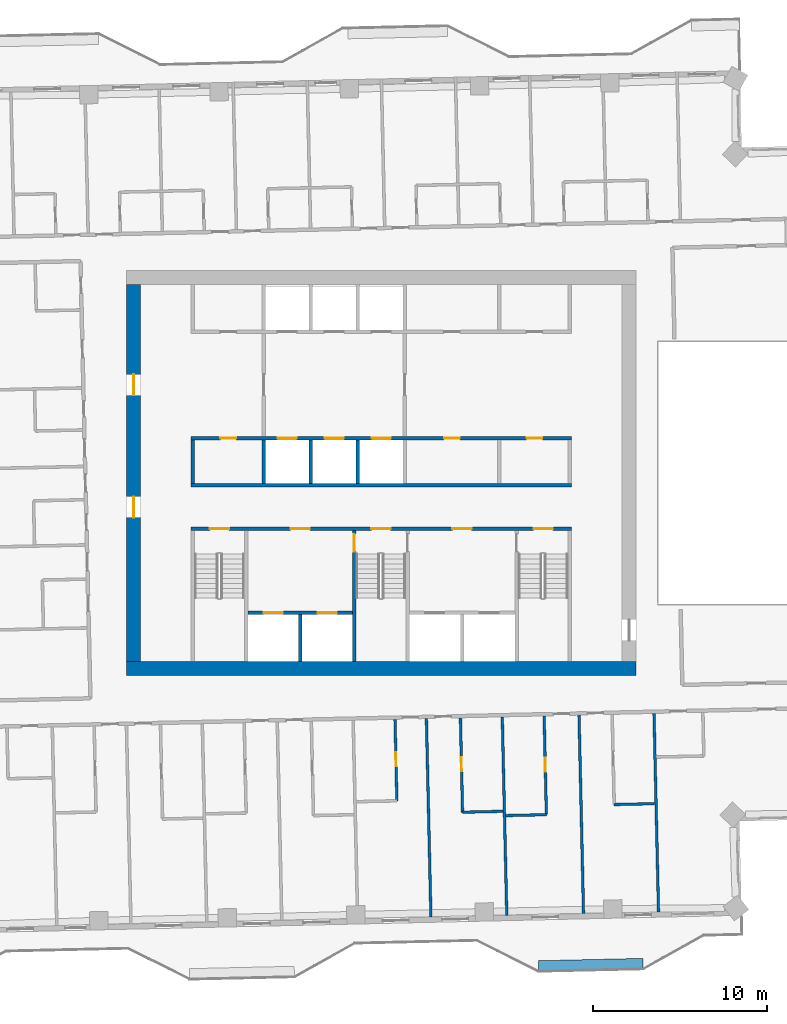
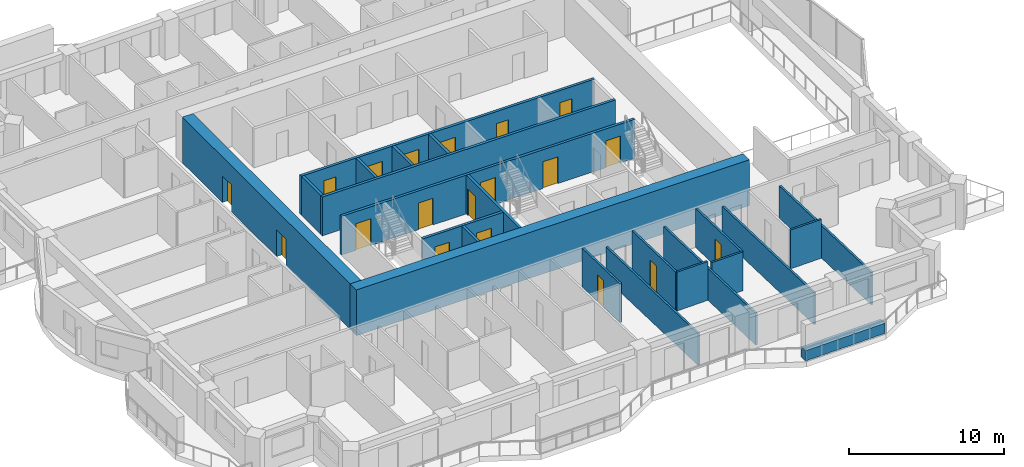
# One storey, part 8 of 17: 23 walls, 19 doors, 19 openings.
"""IFC4 building model written with IfcOpenShell, lengths in metres."""

from ifc_helpers import new_model, si_unit, direction, frame, frame_2d, origin, place, context, subcontext, project, spatial, rectangle, extrude, material, layer, layer_set, type_object, element, fill, save


model = new_model("IFC4")

# Units and contexts
model_context = context("Model", 3, precision=1e-05, world=origin(), true_north=direction((0.0, 1.0)))
body_context = subcontext(model_context, "Body", "Model", "MODEL_VIEW")
ifc_project = project(units=[si_unit("LENGTHUNIT", "METRE"), si_unit("AREAUNIT", "SQUARE_METRE"), si_unit("VOLUMEUNIT", "CUBIC_METRE"), si_unit("PLANEANGLEUNIT", "RADIAN"), si_unit("MASSUNIT", "GRAM", prefix="KILO")], contexts=[model_context])

# Site, building, storey
site_placement = place(None, origin())
site = spatial("IfcSite", under=ifc_project, at=site_placement, CompositionType="ELEMENT")
building_placement = place(site_placement, origin())
building = spatial("IfcBuilding", under=site, at=building_placement, Name="Mangrove Gate Tower", CompositionType="ELEMENT")
storey_placement = place(building_placement, frame((0.0, 0.0, 249.10009765625)))
storey = spatial("IfcBuildingStorey", under=building, at=storey_placement, Name="L63", CompositionType="ELEMENT", Elevation=249.10009765625)

# Walls
ifc_material_1 = material(Name="Concrete C32/40", Category="concrete")
ifc_layer_1 = layer(ifc_material_1, 0.199951171875)
ifc_layer_set_1 = layer_set([ifc_layer_1], Name="Core room wall 200 C32/40")
wall_type_1 = type_object("IfcWallType", Name="Core room wall 200 C32/40", PredefinedType="STANDARD", material=ifc_layer_set_1)
wall_1_placement = place(storey_placement, frame((-10.800048828125, -0.60009765625, 0.0), z_axis=(0.0, 0.0, 1.0), x_axis=(0.0, 1.0, 0.0)))
element("IfcWall", 1, at=wall_1_placement, inside=storey, type_object=wall_type_1, Name="WALL-L63-CORE-19", PredefinedType="STANDARD", context=body_context, shape_type="SweptSolid", body=[
    extrude(rectangle(XDim=2.5, YDim=0.199951171875, at=frame_2d((1.25, 0.0))), origin(), (0.0, 0.0, 1.0), 3.0498046875),
])
ifc_material_2 = material(Name="Concrete C60/75", Category="concrete")
ifc_layer_2 = layer(ifc_material_2, 0.199951171875)
ifc_layer_set_2 = layer_set([ifc_layer_2], Name="Core shaft wall 200 C60/75")
wall_type_2 = type_object("IfcWallType", Name="Core shaft wall 200 C60/75", PredefinedType="SHEAR", material=ifc_layer_set_2)
wall_2_placement = place(storey_placement, frame((-10.89990234375, -0.699951171875, 0.0), z_axis=(0.0, 0.0, 1.0), x_axis=(1.0, 0.0, 0.0)))
element("IfcWall", 2, at=wall_2_placement, inside=storey, type_object=wall_type_2, Name="WALL-L63-CORE-6", PredefinedType="SHEAR", context=body_context, shape_type="SweptSolid", body=[
    extrude(rectangle(XDim=21.7998046875, YDim=0.199951171875, at=frame_2d((10.89990234375, 0.0))), origin(), (0.0, 0.0, 1.0), 3.0498046875),
])

# Wall, openings, doors
wall_3_placement = place(storey_placement, frame((-10.89990234375, 2.0, 0.0), z_axis=(0.0, 0.0, 1.0), x_axis=(1.0, 0.0, 0.0)))
wall_3 = element("IfcWall", 3, at=wall_3_placement, inside=storey, type_object=wall_type_2, Name="WALL-L63-CORE-7", PredefinedType="SHEAR", context=body_context, shape_type="SweptSolid", body=[
    extrude(rectangle(XDim=21.7998046875, YDim=0.199951171875, at=frame_2d((10.89990234375, 0.0))), origin(), (0.0, 0.0, 1.0), 3.0498046875),
])
opening_1_placement = place(wall_3_placement, frame((4.949951171875, 0.0, 0.0)))
opening_1 = element("IfcOpeningElement", 4, at=opening_1_placement, cuts=wall_3, Name="Opening LD", PredefinedType="OPENING", context=body_context, shape_type="SweptSolid", body=[
    extrude(rectangle(XDim=1.10009765625, YDim=2.10009765625, at=frame_2d((0.550048828125, 1.050048828125))), frame((0.0, 0.10986328125, 0.0), z_axis=(0.0, -1.0, 0.0), x_axis=(1.0, 0.0, 0.0)), (0.0, 0.0, 1.0), 0.219970703125),
])
opening_2_placement = place(wall_3_placement, frame((7.64990234375, 0.0, 0.0)))
opening_2 = element("IfcOpeningElement", 5, at=opening_2_placement, cuts=wall_3, Name="Opening LD", PredefinedType="OPENING", context=body_context, shape_type="SweptSolid", body=[
    extrude(rectangle(XDim=1.10009765625, YDim=2.10009765625, at=frame_2d((0.550048828125, 1.050048828125))), frame((0.0, 0.10986328125, 0.0), z_axis=(0.0, -1.0, 0.0), x_axis=(1.0, 0.0, 0.0)), (0.0, 0.0, 1.0), 0.219970703125),
])
opening_3_placement = place(wall_3_placement, frame((10.35009765625, 0.0, 0.0)))
opening_3 = element("IfcOpeningElement", 6, at=opening_3_placement, cuts=wall_3, Name="Opening LD", PredefinedType="OPENING", context=body_context, shape_type="SweptSolid", body=[
    extrude(rectangle(XDim=1.10009765625, YDim=2.10009765625, at=frame_2d((0.550048828125, 1.050048828125))), frame((0.0, 0.10986328125, 0.0), z_axis=(0.0, -1.0, 0.0), x_axis=(1.0, 0.0, 0.0)), (0.0, 0.0, 1.0), 0.219970703125),
])
opening_4_placement = place(wall_3_placement, frame((1.675048828125, 0.0, 0.0)))
opening_4 = element("IfcOpeningElement", 7, at=opening_4_placement, cuts=wall_3, Name="Opening KD", PredefinedType="OPENING", context=body_context, shape_type="SweptSolid", body=[
    extrude(rectangle(XDim=0.89990234375, YDim=2.10009765625, at=frame_2d((0.449951171875, 1.050048828125))), frame((0.0, 0.10986328125, 0.0), z_axis=(0.0, -1.0, 0.0), x_axis=(1.0, 0.0, 0.0)), (0.0, 0.0, 1.0), 0.219970703125),
])
opening_5_placement = place(wall_3_placement, frame((14.5, 0.0, 0.0)))
opening_5 = element("IfcOpeningElement", 8, at=opening_5_placement, cuts=wall_3, Name="Opening KD", PredefinedType="OPENING", context=body_context, shape_type="SweptSolid", body=[
    extrude(rectangle(XDim=0.89990234375, YDim=2.10009765625, at=frame_2d((0.449951171875, 1.050048828125))), frame((0.0, 0.10986328125, 0.0), z_axis=(0.0, -1.0, 0.0), x_axis=(1.0, 0.0, 0.0)), (0.0, 0.0, 1.0), 0.219970703125),
])
opening_6_placement = place(wall_3_placement, frame((19.22509765625, 0.0, 0.0)))
opening_6 = element("IfcOpeningElement", 9, at=opening_6_placement, cuts=wall_3, Name="Opening RD", PredefinedType="OPENING", context=body_context, shape_type="SweptSolid", body=[
    extrude(rectangle(XDim=0.89990234375, YDim=2.10009765625, at=frame_2d((0.449951171875, 1.050048828125))), frame((0.0, 0.10986328125, 0.0), z_axis=(0.0, -1.0, 0.0), x_axis=(1.0, 0.0, 0.0)), (0.0, 0.0, 1.0), 0.219970703125),
])
ifc_material_3 = material(Name="Fire-rated steel door set", Category="steel")
door_type_1 = type_object("IfcDoorType", Name="Core room door FD30S 900x2100", OperationType="SINGLE_SWING_RIGHT", PredefinedType="DOOR", material=ifc_material_3)
door_1_placement = place(opening_4_placement, origin())
door_1 = element("IfcDoor", 10, at=door_1_placement, inside=storey, type_object=door_type_1, Name="Core room door Cleaner's store", OperationType="SINGLE_SWING_RIGHT", OverallHeight=2.10009765625, OverallWidth=0.89990234375, PredefinedType="DOOR", context=body_context, shape_type="SweptSolid", body=[
    extrude(rectangle(XDim=0.89990234375, YDim=2.10009765625, at=frame_2d((0.449951171875, 1.050048828125))), frame((0.0, 0.02490234375, 0.0), z_axis=(0.0, -1.0, 0.0), x_axis=(1.0, 0.0, 0.0)), (0.0, 0.0, 1.0), 0.050048828125),
])
fill(opening_4, door_1)
door_2_placement = place(opening_5_placement, origin())
door_2 = element("IfcDoor", 11, at=door_2_placement, inside=storey, type_object=door_type_1, Name="Core room door Refuse store", OperationType="SINGLE_SWING_RIGHT", OverallHeight=2.10009765625, OverallWidth=0.89990234375, PredefinedType="DOOR", context=body_context, shape_type="SweptSolid", body=[
    extrude(rectangle(XDim=0.89990234375, YDim=2.10009765625, at=frame_2d((0.449951171875, 1.050048828125))), frame((0.0, 0.02490234375, 0.0), z_axis=(0.0, -1.0, 0.0), x_axis=(1.0, 0.0, 0.0)), (0.0, 0.0, 1.0), 0.050048828125),
])
fill(opening_5, door_2)
ifc_material_4 = material(Name="Stainless steel 316", Category="steel")
door_type_2 = type_object("IfcDoorType", Name="Lift landing door 1100x2100", OperationType="SLIDING_TO_LEFT", PredefinedType="DOOR", material=ifc_material_4)
door_3_placement = place(opening_1_placement, origin())
door_3 = element("IfcDoor", 12, at=door_3_placement, inside=storey, type_object=door_type_2, Name="Landing door LD H01", OperationType="SLIDING_TO_LEFT", OverallHeight=2.10009765625, OverallWidth=1.10009765625, PredefinedType="DOOR", context=body_context, shape_type="SweptSolid", body=[
    extrude(rectangle(XDim=1.10009765625, YDim=2.10009765625, at=frame_2d((0.550048828125, 1.050048828125))), frame((0.0, 0.02490234375, 0.0), z_axis=(0.0, -1.0, 0.0), x_axis=(1.0, 0.0, 0.0)), (0.0, 0.0, 1.0), 0.050048828125),
])
fill(opening_1, door_3)
door_4_placement = place(opening_2_placement, origin())
door_4 = element("IfcDoor", 13, at=door_4_placement, inside=storey, type_object=door_type_2, Name="Landing door LD H02", OperationType="SLIDING_TO_LEFT", OverallHeight=2.10009765625, OverallWidth=1.10009765625, PredefinedType="DOOR", context=body_context, shape_type="SweptSolid", body=[
    extrude(rectangle(XDim=1.10009765625, YDim=2.10009765625, at=frame_2d((0.550048828125, 1.050048828125))), frame((0.0, 0.02490234375, 0.0), z_axis=(0.0, -1.0, 0.0), x_axis=(1.0, 0.0, 0.0)), (0.0, 0.0, 1.0), 0.050048828125),
])
fill(opening_2, door_4)
door_5_placement = place(opening_3_placement, origin())
door_5 = element("IfcDoor", 14, at=door_5_placement, inside=storey, type_object=door_type_2, Name="Landing door LD H03", OperationType="SLIDING_TO_LEFT", OverallHeight=2.10009765625, OverallWidth=1.10009765625, PredefinedType="DOOR", context=body_context, shape_type="SweptSolid", body=[
    extrude(rectangle(XDim=1.10009765625, YDim=2.10009765625, at=frame_2d((0.550048828125, 1.050048828125))), frame((0.0, 0.02490234375, 0.0), z_axis=(0.0, -1.0, 0.0), x_axis=(1.0, 0.0, 0.0)), (0.0, 0.0, 1.0), 0.050048828125),
])
fill(opening_3, door_5)
ifc_material_5 = material(Name="Fire-rated steel door set", Category="steel")
door_type_3 = type_object("IfcDoorType", Name="Riser door FD30S 900x2100", OperationType="SINGLE_SWING_LEFT", PredefinedType="DOOR", material=ifc_material_5)
door_6_placement = place(opening_6_placement, origin())
door_6 = element("IfcDoor", 15, at=door_6_placement, inside=storey, type_object=door_type_3, Name="Riser door Electrical room", OperationType="SINGLE_SWING_LEFT", OverallHeight=2.10009765625, OverallWidth=0.89990234375, PredefinedType="DOOR", context=body_context, shape_type="SweptSolid", body=[
    extrude(rectangle(XDim=0.89990234375, YDim=2.10009765625, at=frame_2d((0.449951171875, 1.050048828125))), frame((0.0, 0.02490234375, 0.0), z_axis=(0.0, -1.0, 0.0), x_axis=(1.0, 0.0, 0.0)), (0.0, 0.0, 1.0), 0.050048828125),
])
fill(opening_6, door_6)

wall_4_placement = place(storey_placement, frame((-7.64990234375, -8.0, 0.0), z_axis=(0.0, 0.0, 1.0), x_axis=(1.0, 0.0, 0.0)))
wall_4 = element("IfcWall", 16, at=wall_4_placement, inside=storey, type_object=wall_type_2, Name="WALL-L63-CORE-15", PredefinedType="SHEAR", context=body_context, shape_type="SweptSolid", body=[
    extrude(rectangle(XDim=6.0, YDim=0.199951171875, at=frame_2d((3.0, 0.0))), origin(), (0.0, 0.0, 1.0), 3.0498046875),
])
opening_7_placement = place(wall_4_placement, frame((0.89990234375, 0.0, 0.0)))
opening_7 = element("IfcOpeningElement", 17, at=opening_7_placement, cuts=wall_4, Name="Opening LD", PredefinedType="OPENING", context=body_context, shape_type="SweptSolid", body=[
    extrude(rectangle(XDim=1.10009765625, YDim=2.10009765625, at=frame_2d((0.550048828125, 1.050048828125))), frame((0.0, 0.10986328125, 0.0), z_axis=(0.0, -1.0, 0.0), x_axis=(1.0, 0.0, 0.0)), (0.0, 0.0, 1.0), 0.219970703125),
])
opening_8_placement = place(wall_4_placement, frame((4.0, 0.0, 0.0)))
opening_8 = element("IfcOpeningElement", 18, at=opening_8_placement, cuts=wall_4, Name="Opening LD", PredefinedType="OPENING", context=body_context, shape_type="SweptSolid", body=[
    extrude(rectangle(XDim=1.10009765625, YDim=2.10009765625, at=frame_2d((0.550048828125, 1.050048828125))), frame((0.0, 0.10986328125, 0.0), z_axis=(0.0, -1.0, 0.0), x_axis=(1.0, 0.0, 0.0)), (0.0, 0.0, 1.0), 0.219970703125),
])
door_7_placement = place(opening_7_placement, origin())
door_7 = element("IfcDoor", 19, at=door_7_placement, inside=storey, type_object=door_type_2, Name="Landing door LD SVL1", OperationType="SLIDING_TO_LEFT", OverallHeight=2.10009765625, OverallWidth=1.10009765625, PredefinedType="DOOR", context=body_context, shape_type="SweptSolid", body=[
    extrude(rectangle(XDim=1.10009765625, YDim=2.10009765625, at=frame_2d((0.550048828125, 1.050048828125))), frame((0.0, 0.02490234375, 0.0), z_axis=(0.0, -1.0, 0.0), x_axis=(1.0, 0.0, 0.0)), (0.0, 0.0, 1.0), 0.050048828125),
])
fill(opening_7, door_7)
door_8_placement = place(opening_8_placement, origin())
door_8 = element("IfcDoor", 20, at=door_8_placement, inside=storey, type_object=door_type_2, Name="Landing door LD SVL2", OperationType="SLIDING_TO_LEFT", OverallHeight=2.10009765625, OverallWidth=1.10009765625, PredefinedType="DOOR", context=body_context, shape_type="SweptSolid", body=[
    extrude(rectangle(XDim=1.10009765625, YDim=2.10009765625, at=frame_2d((0.550048828125, 1.050048828125))), frame((0.0, 0.02490234375, 0.0), z_axis=(0.0, -1.0, 0.0), x_axis=(1.0, 0.0, 0.0)), (0.0, 0.0, 1.0), 0.050048828125),
])
fill(opening_8, door_8)

# Walls
wall_5_placement = place(storey_placement, frame((-4.64990234375, -10.800048828125, 0.0), z_axis=(0.0, 0.0, 1.0), x_axis=(0.0, 1.0, 0.0)))
element("IfcWall", 21, at=wall_5_placement, inside=storey, type_object=wall_type_2, Name="WALL-L63-CORE-16", PredefinedType="SHEAR", context=body_context, shape_type="SweptSolid", body=[
    extrude(rectangle(XDim=2.699951171875, YDim=0.199951171875, at=frame_2d((1.35009765625, 0.0))), origin(), (0.0, 0.0, 1.0), 3.0498046875),
])
for number, where, z_axis, x_axis, name in (
    (22, (-6.75, -0.60009765625, 0.0), (0.0, 0.0, 1.0), (0.0, 1.0, 0.0), "WALL-L63-CORE-20"),
    (23, (-4.050048828125, -0.60009765625, 0.0), (0.0, 0.0, 1.0), (0.0, 1.0, 0.0), "WALL-L63-CORE-21"),
    (24, (-1.35009765625, -0.60009765625, 0.0), (0.0, 0.0, 1.0), (0.0, 1.0, 0.0), "WALL-L63-CORE-22"),
):
    element("IfcWall", number, at=place(storey_placement, frame(where, z_axis=z_axis, x_axis=x_axis)), inside=storey, type_object=wall_type_2, Name=name, PredefinedType="SHEAR", context=body_context, shape_type="SweptSolid", body=[
        extrude(rectangle(XDim=2.5, YDim=0.199951171875, at=frame_2d((1.25, 0.0))), origin(), (0.0, 0.0, 1.0), 3.0498046875),
    ])

# Wall, openings, doors
ifc_material_6 = material(Name="Concrete C60/75", Category="concrete")
ifc_layer_3 = layer(ifc_material_6, 0.199951171875)
ifc_layer_set_3 = layer_set([ifc_layer_3], Name="Core stair wall 200 C60/75")
wall_type_3 = type_object("IfcWallType", Name="Core stair wall 200 C60/75", PredefinedType="SHEAR", material=ifc_layer_set_3)
wall_6_placement = place(storey_placement, frame((-10.89990234375, -3.199951171875, 0.0), z_axis=(0.0, 0.0, 1.0), x_axis=(1.0, 0.0, 0.0)))
wall_6 = element("IfcWall", 25, at=wall_6_placement, inside=storey, type_object=wall_type_3, Name="WALL-L63-CORE-5", PredefinedType="SHEAR", context=body_context, shape_type="SweptSolid", body=[
    extrude(rectangle(XDim=21.7998046875, YDim=0.199951171875, at=frame_2d((10.89990234375, 0.0))), origin(), (0.0, 0.0, 1.0), 3.0498046875),
])
opening_9_placement = place(wall_6_placement, frame((1.074951171875, 0.0, 0.0)))
opening_9 = element("IfcOpeningElement", 26, at=opening_9_placement, cuts=wall_6, Name="Opening STD11", PredefinedType="OPENING", context=body_context, shape_type="SweptSolid", body=[
    extrude(rectangle(XDim=1.10009765625, YDim=2.10009765625, at=frame_2d((0.550048828125, 1.050048828125))), frame((0.0, 0.10986328125, 0.0), z_axis=(0.0, -1.0, 0.0), x_axis=(1.0, 0.0, 0.0)), (0.0, 0.0, 1.0), 0.219970703125),
])
opening_10_placement = place(wall_6_placement, frame((10.324951171875, 0.0, 0.0)))
opening_10 = element("IfcOpeningElement", 27, at=opening_10_placement, cuts=wall_6, Name="Opening STD11", PredefinedType="OPENING", context=body_context, shape_type="SweptSolid", body=[
    extrude(rectangle(XDim=1.10009765625, YDim=2.10009765625, at=frame_2d((0.550048828125, 1.050048828125))), frame((0.0, 0.10986328125, 0.0), z_axis=(0.0, -1.0, 0.0), x_axis=(1.0, 0.0, 0.0)), (0.0, 0.0, 1.0), 0.219970703125),
])
opening_11_placement = place(wall_6_placement, frame((19.625, 0.0, 0.0)))
opening_11 = element("IfcOpeningElement", 28, at=opening_11_placement, cuts=wall_6, Name="Opening STD11", PredefinedType="OPENING", context=body_context, shape_type="SweptSolid", body=[
    extrude(rectangle(XDim=1.10009765625, YDim=2.10009765625, at=frame_2d((0.550048828125, 1.050048828125))), frame((0.0, 0.10986328125, 0.0), z_axis=(0.0, -1.0, 0.0), x_axis=(1.0, 0.0, 0.0)), (0.0, 0.0, 1.0), 0.219970703125),
])
opening_12_placement = place(wall_6_placement, frame((5.699951171875, 0.0, 0.0)))
opening_12 = element("IfcOpeningElement", 29, at=opening_12_placement, cuts=wall_6, Name="Opening FL", PredefinedType="OPENING", context=body_context, shape_type="SweptSolid", body=[
    extrude(rectangle(XDim=1.10009765625, YDim=2.10009765625, at=frame_2d((0.550048828125, 1.050048828125))), frame((0.0, 0.10986328125, 0.0), z_axis=(0.0, -1.0, 0.0), x_axis=(1.0, 0.0, 0.0)), (0.0, 0.0, 1.0), 0.219970703125),
])
opening_13_placement = place(wall_6_placement, frame((14.97509765625, 0.0, 0.0)))
opening_13 = element("IfcOpeningElement", 30, at=opening_13_placement, cuts=wall_6, Name="Opening FL", PredefinedType="OPENING", context=body_context, shape_type="SweptSolid", body=[
    extrude(rectangle(XDim=1.10009765625, YDim=2.10009765625, at=frame_2d((0.550048828125, 1.050048828125))), frame((0.0, 0.10986328125, 0.0), z_axis=(0.0, -1.0, 0.0), x_axis=(1.0, 0.0, 0.0)), (0.0, 0.0, 1.0), 0.219970703125),
])
ifc_material_7 = material(Name="Fire-rated steel door set", Category="steel")
door_type_4 = type_object("IfcDoorType", Name="Lobby door FD60 1100x2100", OperationType="SINGLE_SWING_LEFT", PredefinedType="DOOR", material=ifc_material_7)
door_9_placement = place(opening_12_placement, origin())
door_9 = element("IfcDoor", 31, at=door_9_placement, inside=storey, type_object=door_type_4, Name="Lobby door service lobby", OperationType="SINGLE_SWING_LEFT", OverallHeight=2.10009765625, OverallWidth=1.10009765625, PredefinedType="DOOR", context=body_context, shape_type="SweptSolid", body=[
    extrude(rectangle(XDim=1.10009765625, YDim=2.10009765625, at=frame_2d((0.550048828125, 1.050048828125))), frame((0.0, 0.02490234375, 0.0), z_axis=(0.0, -1.0, 0.0), x_axis=(1.0, 0.0, 0.0)), (0.0, 0.0, 1.0), 0.050048828125),
])
fill(opening_12, door_9)
door_10_placement = place(opening_13_placement, origin())
door_10 = element("IfcDoor", 32, at=door_10_placement, inside=storey, type_object=door_type_4, Name="Lobby door fire-fighting lobby", OperationType="SINGLE_SWING_LEFT", OverallHeight=2.10009765625, OverallWidth=1.10009765625, PredefinedType="DOOR", context=body_context, shape_type="SweptSolid", body=[
    extrude(rectangle(XDim=1.10009765625, YDim=2.10009765625, at=frame_2d((0.550048828125, 1.050048828125))), frame((0.0, 0.02490234375, 0.0), z_axis=(0.0, -1.0, 0.0), x_axis=(1.0, 0.0, 0.0)), (0.0, 0.0, 1.0), 0.050048828125),
])
fill(opening_13, door_10)
ifc_material_8 = material(Name="Fire-rated steel door set", Category="steel")
door_type_5 = type_object("IfcDoorType", Name="Stair door FD60 1100x2100", OperationType="SINGLE_SWING_RIGHT", PredefinedType="DOOR", material=ifc_material_8)
door_11_placement = place(opening_9_placement, origin())
door_11 = element("IfcDoor", 33, at=door_11_placement, inside=storey, type_object=door_type_5, Name="Stair door Stair 1", OperationType="SINGLE_SWING_RIGHT", OverallHeight=2.10009765625, OverallWidth=1.10009765625, PredefinedType="DOOR", context=body_context, shape_type="SweptSolid", body=[
    extrude(rectangle(XDim=1.10009765625, YDim=2.10009765625, at=frame_2d((0.550048828125, 1.050048828125))), frame((0.0, 0.02490234375, 0.0), z_axis=(0.0, -1.0, 0.0), x_axis=(1.0, 0.0, 0.0)), (0.0, 0.0, 1.0), 0.050048828125),
])
fill(opening_9, door_11)
door_12_placement = place(opening_10_placement, origin())
door_12 = element("IfcDoor", 34, at=door_12_placement, inside=storey, type_object=door_type_5, Name="Stair door Stair 2", OperationType="SINGLE_SWING_RIGHT", OverallHeight=2.10009765625, OverallWidth=1.10009765625, PredefinedType="DOOR", context=body_context, shape_type="SweptSolid", body=[
    extrude(rectangle(XDim=1.10009765625, YDim=2.10009765625, at=frame_2d((0.550048828125, 1.050048828125))), frame((0.0, 0.02490234375, 0.0), z_axis=(0.0, -1.0, 0.0), x_axis=(1.0, 0.0, 0.0)), (0.0, 0.0, 1.0), 0.050048828125),
])
fill(opening_10, door_12)
door_13_placement = place(opening_11_placement, origin())
door_13 = element("IfcDoor", 35, at=door_13_placement, inside=storey, type_object=door_type_5, Name="Stair door Stair 3", OperationType="SINGLE_SWING_RIGHT", OverallHeight=2.10009765625, OverallWidth=1.10009765625, PredefinedType="DOOR", context=body_context, shape_type="SweptSolid", body=[
    extrude(rectangle(XDim=1.10009765625, YDim=2.10009765625, at=frame_2d((0.550048828125, 1.050048828125))), frame((0.0, 0.02490234375, 0.0), z_axis=(0.0, -1.0, 0.0), x_axis=(1.0, 0.0, 0.0)), (0.0, 0.0, 1.0), 0.050048828125),
])
fill(opening_11, door_13)

# Wall, opening, door
wall_7_placement = place(storey_placement, frame((-1.550048828125, -10.800048828125, 0.0), z_axis=(0.0, 0.0, 1.0), x_axis=(0.0, 1.0, 0.0)))
wall_7 = element("IfcWall", 36, at=wall_7_placement, inside=storey, type_object=wall_type_3, Name="WALL-L63-CORE-11", PredefinedType="SHEAR", context=body_context, shape_type="SweptSolid", body=[
    extrude(rectangle(XDim=7.5, YDim=0.199951171875, at=frame_2d((3.75, 0.0))), origin(), (0.0, 0.0, 1.0), 3.0498046875),
])
opening_14_placement = place(wall_7_placement, frame((6.300048828125, 0.0, 0.0)))
opening_14 = element("IfcOpeningElement", 37, at=opening_14_placement, cuts=wall_7, Name="Opening STD10", PredefinedType="OPENING", context=body_context, shape_type="SweptSolid", body=[
    extrude(rectangle(XDim=1.0, YDim=2.10009765625, at=frame_2d((0.5, 1.050048828125))), frame((0.0, 0.10986328125, 0.0), z_axis=(0.0, -1.0, 0.0), x_axis=(1.0, 0.0, 0.0)), (0.0, 0.0, 1.0), 0.219970703125),
])
ifc_material_9 = material(Name="Fire-rated steel door set", Category="steel")
door_type_6 = type_object("IfcDoorType", Name="Stair door FD60 1000x2100", OperationType="SINGLE_SWING_RIGHT", PredefinedType="DOOR", material=ifc_material_9)
door_14_placement = place(opening_14_placement, origin())
door_14 = element("IfcDoor", 38, at=door_14_placement, inside=storey, type_object=door_type_6, Name="Stair door Stair 2 from service lobby", OperationType="SINGLE_SWING_RIGHT", OverallHeight=2.10009765625, OverallWidth=1.0, PredefinedType="DOOR", context=body_context, shape_type="SweptSolid", body=[
    extrude(rectangle(XDim=1.0, YDim=2.10009765625, at=frame_2d((0.5, 1.050048828125))), frame((0.0, 0.02490234375, 0.0), z_axis=(0.0, -1.0, 0.0), x_axis=(1.0, 0.0, 0.0)), (0.0, 0.0, 1.0), 0.050048828125),
])
fill(opening_14, door_14)

# Wall
ifc_material_10 = material(Name="Concrete C60/75", Category="concrete")
ifc_layer_4 = layer(ifc_material_10, 0.800048828125)
ifc_layer_set_4 = layer_set([ifc_layer_4], Name="Core wall 800 C60/75")
wall_type_4 = type_object("IfcWallType", Name="Core wall 800 C60/75", PredefinedType="SHEAR", material=ifc_layer_set_4)
wall_8_placement = place(storey_placement, frame((-14.60009765625, -11.199951171875, 0.0), z_axis=(0.0, 0.0, 1.0), x_axis=(1.0, 0.0, 0.0)))
element("IfcWall", 39, at=wall_8_placement, inside=storey, type_object=wall_type_4, Name="WALL-L63-CORE-1", PredefinedType="SHEAR", context=body_context, shape_type="SweptSolid", body=[
    extrude(rectangle(XDim=29.2001953125, YDim=0.800048828125, at=frame_2d((14.60009765625, 0.0))), origin(), (0.0, 0.0, 1.0), 3.599853515625),
])

# Wall, openings, doors
wall_9_placement = place(storey_placement, frame((-14.199951171875, -10.800048828125, 0.0), z_axis=(0.0, 0.0, 1.0), x_axis=(0.0, 1.0, 0.0)))
wall_9 = element("IfcWall", 40, at=wall_9_placement, inside=storey, type_object=wall_type_4, Name="WALL-L63-CORE-3", PredefinedType="SHEAR", context=body_context, shape_type="SweptSolid", body=[
    extrude(rectangle(XDim=21.60009765625, YDim=0.800048828125, at=frame_2d((10.800048828125, 0.0))), origin(), (0.0, 0.0, 1.0), 3.599853515625),
])
opening_15_placement = place(wall_9_placement, frame((8.25, 0.0, 0.0)))
opening_15 = element("IfcOpeningElement", 41, at=opening_15_placement, cuts=wall_9, Name="Opening CD", PredefinedType="OPENING", context=body_context, shape_type="SweptSolid", body=[
    extrude(rectangle(XDim=1.199951171875, YDim=2.10009765625, at=frame_2d((0.60009765625, 1.050048828125))), frame((0.0, 0.409912109375, 0.0), z_axis=(0.0, -1.0, 0.0), x_axis=(1.0, 0.0, 0.0)), (0.0, 0.0, 1.0), 0.820068359375),
])
opening_16_placement = place(wall_9_placement, frame((15.25, 0.0, 0.0)))
opening_16 = element("IfcOpeningElement", 42, at=opening_16_placement, cuts=wall_9, Name="Opening CD", PredefinedType="OPENING", context=body_context, shape_type="SweptSolid", body=[
    extrude(rectangle(XDim=1.199951171875, YDim=2.10009765625, at=frame_2d((0.60009765625, 1.050048828125))), frame((0.0, 0.409912109375, 0.0), z_axis=(0.0, -1.0, 0.0), x_axis=(1.0, 0.0, 0.0)), (0.0, 0.0, 1.0), 0.820068359375),
])
ifc_material_11 = material(Name="Fire-rated steel door set", Category="steel")
door_type_7 = type_object("IfcDoorType", Name="Core ring door FD60 1200x2100", OperationType="DOUBLE_DOOR_SINGLE_SWING", PredefinedType="DOOR", material=ifc_material_11)
door_15_placement = place(opening_15_placement, origin())
door_15 = element("IfcDoor", 43, at=door_15_placement, inside=storey, type_object=door_type_7, Name="Core ring door W1", OperationType="DOUBLE_DOOR_SINGLE_SWING", OverallHeight=2.10009765625, OverallWidth=1.199951171875, PredefinedType="DOOR", context=body_context, shape_type="SweptSolid", body=[
    extrude(rectangle(XDim=1.199951171875, YDim=2.10009765625, at=frame_2d((0.60009765625, 1.050048828125))), frame((0.0, 0.02490234375, 0.0), z_axis=(0.0, -1.0, 0.0), x_axis=(1.0, 0.0, 0.0)), (0.0, 0.0, 1.0), 0.050048828125),
])
fill(opening_15, door_15)
door_16_placement = place(opening_16_placement, origin())
door_16 = element("IfcDoor", 44, at=door_16_placement, inside=storey, type_object=door_type_7, Name="Core ring door W2", OperationType="DOUBLE_DOOR_SINGLE_SWING", OverallHeight=2.10009765625, OverallWidth=1.199951171875, PredefinedType="DOOR", context=body_context, shape_type="SweptSolid", body=[
    extrude(rectangle(XDim=1.199951171875, YDim=2.10009765625, at=frame_2d((0.60009765625, 1.050048828125))), frame((0.0, 0.02490234375, 0.0), z_axis=(0.0, -1.0, 0.0), x_axis=(1.0, 0.0, 0.0)), (0.0, 0.0, 1.0), 0.050048828125),
])
fill(opening_16, door_16)

# Walls
ifc_material_12 = material(Name="Gypsum board on steel stud, EI 60", Category="steel")
ifc_layer_5 = layer(ifc_material_12, 0.14990234375)
ifc_layer_set_5 = layer_set([ifc_layer_5], Name="Party wall 150 EI 60")
wall_type_5 = type_object("IfcWallType", Name="Party wall 150 EI 60", PredefinedType="PARTITIONING", material=ifc_layer_set_5)
for number, where, z_axis, x_axis, name in (
    (45, (2.841064453125, -25.455078125, 0.0), (0.0, 0.0, 1.0), (-0.022684355347, 0.999742676904, 0.0), "WALL-L63-006"),
    (46, (7.18994140625, -25.35693359375, 0.0), (0.0, 0.0, 1.0), (-0.022684355347, 0.999742676904, 0.0), "WALL-L63-007"),
    (47, (11.589111328125, -25.257080078125, 0.0), (0.0, 0.0, 1.0), (-0.022684355347, 0.999742676904, 0.0), "WALL-L63-008"),
):
    element("IfcWall", number, at=place(storey_placement, frame(where, z_axis=z_axis, x_axis=x_axis)), inside=storey, type_object=wall_type_5, Name=name, PredefinedType="PARTITIONING", context=body_context, shape_type="SweptSolid", body=[
        extrude(rectangle(XDim=11.3759765625, YDim=0.14990234375, at=frame_2d((5.68798828125, 0.0))), origin(), (0.0, 0.0, 1.0), 2.5),
    ])
wall_10_placement = place(storey_placement, frame((15.887939453125, -25.158935546875, 0.0), z_axis=(0.0, 0.0, 1.0), x_axis=(-0.022684355347, 0.999742676904, 0.0)))
element("IfcWall", 48, at=wall_10_placement, inside=storey, type_object=wall_type_5, Name="WALL-L63-009", PredefinedType="PARTITIONING", context=body_context, shape_type="SweptSolid", body=[
    extrude(rectangle(XDim=11.3759765625, YDim=0.14990234375, at=frame_2d((5.68798828125, 0.0))), origin(), (0.0, 0.0, 1.0), 2.5498046875),
])

# Wall, opening, door
wall_11_placement = place(storey_placement, frame((9.4599609375, -19.587890625, 0.0), z_axis=(0.0, 0.0, 1.0), x_axis=(-0.022773332125, 0.999740654042, 0.0)))
wall_11 = element("IfcWall", 49, at=wall_11_placement, inside=storey, type_object=wall_type_5, Name="WALL-L63-010", PredefinedType="PARTITIONING", context=body_context, shape_type="SweptSolid", body=[
    extrude(rectangle(XDim=5.660400390625, YDim=0.14990234375, at=frame_2d((2.830078125, 0.0))), origin(), (0.0, 0.0, 1.0), 3.0498046875),
])
opening_17_placement = place(wall_11_placement, frame((2.47998046875, 0.0, 0.0)))
opening_17 = element("IfcOpeningElement", 50, at=opening_17_placement, cuts=wall_11, Name="Opening ED", PredefinedType="OPENING", context=body_context, shape_type="SweptSolid", body=[
    extrude(rectangle(XDim=0.800048828125, YDim=2.10009765625, at=frame_2d((0.39990234375, 1.050048828125))), frame((0.0, 0.0849609375, 0.0), z_axis=(0.0, -1.0, 0.0), x_axis=(1.0, 0.0, 0.0)), (0.0, 0.0, 1.0), 0.169921875),
])
ifc_material_13 = material(Name="Timber door leaf", Category="wood")
door_type_8 = type_object("IfcDoorType", Name="En-suite door 800", OperationType="SINGLE_SWING_LEFT", PredefinedType="DOOR", material=ifc_material_13)
door_17_placement = place(opening_17_placement, origin())
door_17 = element("IfcDoor", 51, at=door_17_placement, inside=storey, type_object=door_type_8, Name="DOOR-L63-ENS-c207", OperationType="SINGLE_SWING_LEFT", OverallHeight=2.10009765625, OverallWidth=0.800048828125, PredefinedType="DOOR", context=body_context, shape_type="SweptSolid", body=[
    extrude(rectangle(XDim=0.800048828125, YDim=2.10009765625, at=frame_2d((0.39990234375, 1.050048828125))), frame((0.0, 0.02490234375, 0.0), z_axis=(0.0, -1.0, 0.0), x_axis=(1.0, 0.0, 0.0)), (0.0, 0.0, 1.0), 0.050048828125),
])
fill(opening_17, door_17)

# Wall
wall_12_placement = place(storey_placement, frame((7.131103515625, -19.636962890625, 0.0), z_axis=(0.0, 0.0, 1.0), x_axis=(0.999740478815, 0.022781023197, 0.0)))
element("IfcWall", 52, at=wall_12_placement, inside=storey, type_object=wall_type_5, Name="WALL-L63-011", PredefinedType="PARTITIONING", context=body_context, shape_type="SweptSolid", body=[
    extrude(rectangle(XDim=2.325439453125, YDim=0.14990234375, at=frame_2d((1.16259765625, 0.0))), origin(), (0.0, 0.0, 1.0), 3.0498046875),
])

# Wall, opening, door
wall_13_placement = place(storey_placement, frame((4.655029296875, -19.447021484375, 0.0), z_axis=(0.0, 0.0, 1.0), x_axis=(-0.022562523897, 0.999745433856, 0.0)))
wall_13 = element("IfcWall", 53, at=wall_13_placement, inside=storey, type_object=wall_type_5, Name="WALL-L63-014", PredefinedType="PARTITIONING", context=body_context, shape_type="SweptSolid", body=[
    extrude(rectangle(XDim=5.410400390625, YDim=0.14990234375, at=frame_2d((2.705078125, 0.0))), origin(), (0.0, 0.0, 1.0), 3.0498046875),
])
opening_18_placement = place(wall_13_placement, frame((2.35498046875, 0.0, 0.0)))
opening_18 = element("IfcOpeningElement", 54, at=opening_18_placement, cuts=wall_13, Name="Opening ED", PredefinedType="OPENING", context=body_context, shape_type="SweptSolid", body=[
    extrude(rectangle(XDim=0.800048828125, YDim=2.10009765625, at=frame_2d((0.39990234375, 1.050048828125))), frame((0.0, 0.0849609375, 0.0), z_axis=(0.0, -1.0, 0.0), x_axis=(1.0, 0.0, 0.0)), (0.0, 0.0, 1.0), 0.169921875),
])
door_18_placement = place(opening_18_placement, origin())
door_18 = element("IfcDoor", 55, at=door_18_placement, inside=storey, type_object=door_type_8, Name="DOOR-L63-ENS-c206", OperationType="SINGLE_SWING_RIGHT", OverallHeight=2.10009765625, OverallWidth=0.800048828125, PredefinedType="DOOR", context=body_context, shape_type="SweptSolid", body=[
    extrude(rectangle(XDim=0.800048828125, YDim=2.10009765625, at=frame_2d((0.39990234375, 1.050048828125))), frame((0.0, 0.02490234375, 0.0), z_axis=(0.0, -1.0, 0.0), x_axis=(1.0, 0.0, 0.0)), (0.0, 0.0, 1.0), 0.050048828125),
])
fill(opening_18, door_18)

# Walls
wall_14_placement = place(storey_placement, frame((4.65087890625, -19.443115234375, 0.0), z_axis=(0.0, 0.0, 1.0), x_axis=(0.999738137323, 0.022883548292, 0.0)))
element("IfcWall", 56, at=wall_14_placement, inside=storey, type_object=wall_type_5, Name="WALL-L63-017", PredefinedType="PARTITIONING", context=body_context, shape_type="SweptSolid", body=[
    extrude(rectangle(XDim=2.32568359375, YDim=0.14990234375, at=frame_2d((1.162841796875, 0.0))), origin(), (0.0, 0.0, 1.0), 3.0498046875),
])
wall_15_placement = place(storey_placement, frame((13.343994140625, -19.0048828125, 0.0), z_axis=(0.0, 0.0, 1.0), x_axis=(0.999749744571, 0.022370700241, 0.0)))
element("IfcWall", 57, at=wall_15_placement, inside=storey, type_object=wall_type_5, Name="WALL-L63-021", PredefinedType="PARTITIONING", context=body_context, shape_type="SweptSolid", body=[
    extrude(rectangle(XDim=2.324462890625, YDim=0.14990234375, at=frame_2d((1.162109375, 0.0))), origin(), (0.0, 0.0, 1.0), 3.0498046875),
])

# Wall, opening, door
wall_16_placement = place(storey_placement, frame((0.889892578125, -18.7919921875, 0.0), z_axis=(0.0, 0.0, 1.0), x_axis=(-0.022688155425, 0.999742590672, 0.0)))
wall_16 = element("IfcWall", 58, at=wall_16_placement, inside=storey, type_object=wall_type_5, Name="WALL-L63-024", PredefinedType="PARTITIONING", context=body_context, shape_type="SweptSolid", body=[
    extrude(rectangle(XDim=4.670166015625, YDim=0.14990234375, at=frame_2d((2.3349609375, 0.0))), origin(), (0.0, 0.0, 1.0), 3.0498046875),
])
opening_19_placement = place(wall_16_placement, frame((1.985107421875, 0.0, 0.0)))
opening_19 = element("IfcOpeningElement", 59, at=opening_19_placement, cuts=wall_16, Name="Opening ED", PredefinedType="OPENING", context=body_context, shape_type="SweptSolid", body=[
    extrude(rectangle(XDim=0.800048828125, YDim=2.10009765625, at=frame_2d((0.39990234375, 1.050048828125))), frame((0.0, 0.0849609375, 0.0), z_axis=(0.0, -1.0, 0.0), x_axis=(1.0, 0.0, 0.0)), (0.0, 0.0, 1.0), 0.169921875),
])
door_19_placement = place(opening_19_placement, origin())
door_19 = element("IfcDoor", 60, at=door_19_placement, inside=storey, type_object=door_type_8, Name="DOOR-L63-ENS-c205", OperationType="SINGLE_SWING_LEFT", OverallHeight=2.10009765625, OverallWidth=0.800048828125, PredefinedType="DOOR", context=body_context, shape_type="SweptSolid", body=[
    extrude(rectangle(XDim=0.800048828125, YDim=2.10009765625, at=frame_2d((0.39990234375, 1.050048828125))), frame((0.0, 0.02490234375, 0.0), z_axis=(0.0, -1.0, 0.0), x_axis=(1.0, 0.0, 0.0)), (0.0, 0.0, 1.0), 0.050048828125),
])
fill(opening_19, door_19)

# Wall
ifc_material_14 = material(Name="Concrete C32/40", Category="concrete")
ifc_layer_6 = layer(ifc_material_14, 0.199951171875, Name="Planter trough wall")
ifc_material_15 = material(Name="Bituminous waterproofing membrane")
ifc_layer_7 = layer(ifc_material_15, 0.0048828125, Name="Waterproofing")
ifc_material_16 = material(Name="Drainage board and gravel")
ifc_layer_8 = layer(ifc_material_16, 0.044921875, Name="Drainage layer")
ifc_material_17 = material(Name="Planting soil")
ifc_layer_9 = layer(ifc_material_17, 0.300048828125, Name="Growing medium")
ifc_layer_set_6 = layer_set([ifc_layer_6, ifc_layer_7, ifc_layer_8, ifc_layer_9], Name="Planter wall 550 C32/40")
wall_type_6 = type_object("IfcWallType", Name="Planter wall 550 C32/40", PredefinedType="USERDEFINED", material=ifc_layer_set_6)
wall_17_placement = place(storey_placement, frame((9.006103515625, -28.23095703125, 0.0), z_axis=(0.0, 0.0, 1.0), x_axis=(0.999743157205, 0.022663177671, 0.0)))
element("IfcWall", 61, at=wall_17_placement, inside=storey, type_object=wall_type_6, Name="PLANTER L63 S1.1", ObjectType="PLANTER", PredefinedType="USERDEFINED", context=body_context, shape_type="SweptSolid", body=[
    extrude(rectangle(XDim=6.000244140625, YDim=0.550048828125, at=frame_2d((3.0, 0.0))), origin(), (0.0, 0.0, 1.0), 0.7998046875),
])

save(model, "model.ifc")
